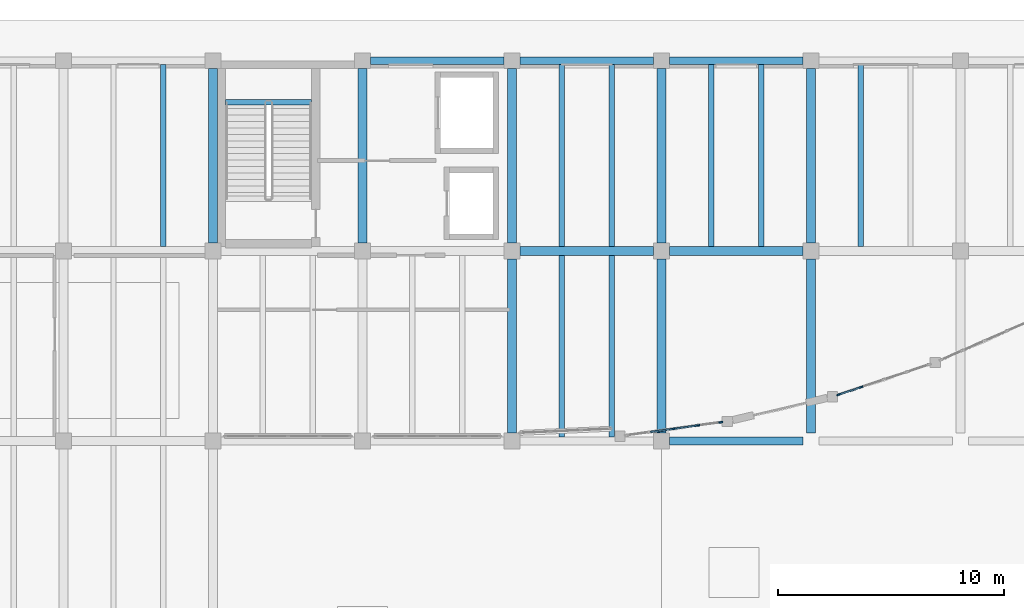
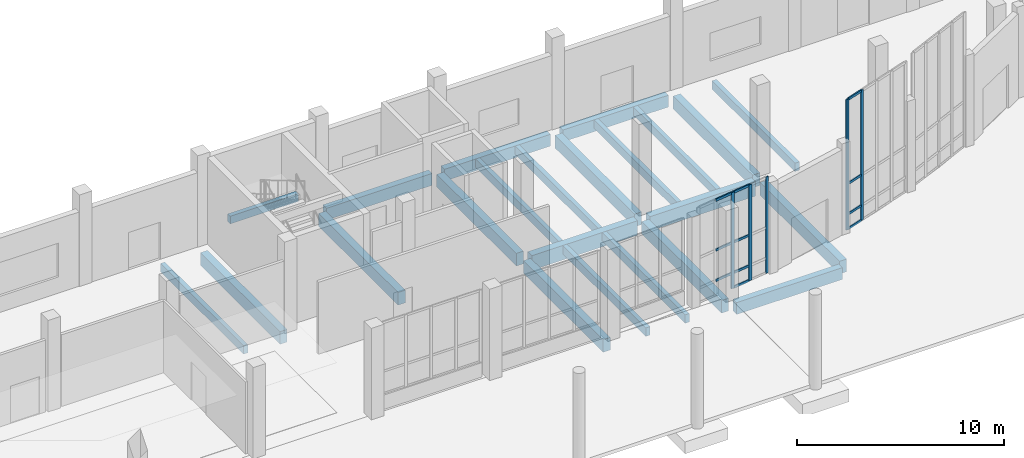
# One storey, part 15 of 64: 23 beams, 16 members, 2 elements without a shape of their own.
"""IFC4 building model written with IfcOpenShell, lengths in metres."""

from ifc_helpers import new_model, si_unit, direction, frame, origin, origin_2d, place, context, subcontext, project, spatial, rectangle, extrude, material, material_profile, profile_set, type_object, element, aggregate, save


model = new_model("IFC4")

# Units and contexts
model_context = context("Model", 3, precision=1e-05, world=origin(), true_north=direction((0.0, 1.0)))
body_context = subcontext(model_context, "Body", "Model", "MODEL_VIEW")
ifc_project = project(units=[si_unit("LENGTHUNIT", "METRE"), si_unit("AREAUNIT", "SQUARE_METRE"), si_unit("VOLUMEUNIT", "CUBIC_METRE"), si_unit("PLANEANGLEUNIT", "RADIAN"), si_unit("MASSUNIT", "GRAM", prefix="KILO")], contexts=[model_context])

# Site, building, storey
site_placement = place(None, origin())
site = spatial("IfcSite", under=ifc_project, at=site_placement, CompositionType="ELEMENT")
building_placement = place(site_placement, origin())
building = spatial("IfcBuilding", under=site, at=building_placement, Name="Qaldarim Faculty of Natural and Applied Sciences", CompositionType="ELEMENT")
storey_placement = place(building_placement, origin())
storey = spatial("IfcBuildingStorey", under=building, at=storey_placement, Name="L00", CompositionType="ELEMENT", Elevation=0.0)

# Beams
ifc_material_1 = material(Name="Concrete C40/50", Category="concrete")
ifc_material_profile_1 = material_profile(ifc_material_1, rectangle(XDim=0.239990234375, YDim=0.5, at=origin_2d()), Name="RC-J240x500")
ifc_profile_set_1 = profile_set([ifc_material_profile_1], Name="Concrete C40/50")
beam_type_1 = type_object("IfcBeamType", Name="HeavyJoist-RC240x500", PredefinedType="JOIST", material=ifc_profile_set_1)
beam_1_placement = place(storey_placement, frame((96.800048828125, 109.39990234375, -0.610107421875), z_axis=(0.0, 1.0, 0.0), x_axis=(-1.0, 0.0, 0.0)))
element("IfcBeam", 1, at=beam_1_placement, inside=storey, type_object=beam_type_1, Name="Laboratory joist B01 bay X15Y14-2", PredefinedType="JOIST", context=body_context, shape_type="SweptSolid", body=[
    extrude(rectangle(XDim=0.239990234375, YDim=0.5, at=origin_2d()), origin(), (0.0, 0.0, 1.0), 8.025146484375),
])
for number, where, z_axis, x_axis, name in (
    (2, (114.39990234375, 100.97509765625, -0.610107421875), (0.0, 1.0, 0.0), (-1.0, 0.0, 0.0), "Laboratory joist B01 bay X18Y13-1"),
    (3, (116.60009765625, 100.97509765625, -0.610107421875), (0.0, 1.0, 0.0), (-1.0, 0.0, 0.0), "Laboratory joist B01 bay X18Y13-2"),
):
    element("IfcBeam", number, at=place(storey_placement, frame(where, z_axis=z_axis, x_axis=x_axis)), inside=storey, type_object=beam_type_1, Name=name, PredefinedType="JOIST", context=body_context, shape_type="SweptSolid", body=[
        extrude(rectangle(XDim=0.239990234375, YDim=0.5, at=origin_2d()), origin(), (0.0, 0.0, 1.0), 8.02490234375),
    ])
for number, where, z_axis, x_axis, name in (
    (4, (114.39990234375, 109.39990234375, -0.610107421875), (0.0, 1.0, 0.0), (-1.0, 0.0, 0.0), "Laboratory joist B01 bay X18Y14-1"),
    (5, (116.60009765625, 109.39990234375, -0.610107421875), (0.0, 1.0, 0.0), (-1.0, 0.0, 0.0), "Laboratory joist B01 bay X18Y14-2"),
    (6, (121.0, 109.39990234375, -0.610107421875), (0.0, 1.0, 0.0), (-1.0, 0.0, 0.0), "Laboratory joist B01 bay X19Y14-1"),
    (7, (123.199951171875, 109.39990234375, -0.610107421875), (0.0, 1.0, 0.0), (-1.0, 0.0, 0.0), "Laboratory joist B01 bay X19Y14-2"),
    (8, (127.60009765625, 109.39990234375, -0.610107421875), (0.0, 1.0, 0.0), (-1.0, 0.0, 0.0), "Laboratory joist B01 bay X20Y14-1"),
):
    element("IfcBeam", number, at=place(storey_placement, frame(where, z_axis=z_axis, x_axis=x_axis)), inside=storey, type_object=beam_type_1, Name=name, PredefinedType="JOIST", context=body_context, shape_type="SweptSolid", body=[
        extrude(rectangle(XDim=0.239990234375, YDim=0.5, at=origin_2d()), origin(), (0.0, 0.0, 1.0), 8.025146484375),
    ])
ifc_material_2 = material(Name="Concrete C50/60", Category="concrete")
ifc_material_profile_2 = material_profile(ifc_material_2, rectangle(XDim=0.39990234375, YDim=0.75, at=origin_2d()), Name="RC-B400x750")
ifc_profile_set_2 = profile_set([ifc_material_profile_2], Name="Concrete C50/60")
beam_type_2 = type_object("IfcBeamType", Name="LabGirder-RC400x750", PredefinedType="BEAM", material=ifc_profile_set_2)
for number, where, z_axis, x_axis, name in (
    (9, (99.0, 109.550048828125, -0.735107421875), (0.0, 1.0, 0.0), (-1.0, 0.0, 0.0), "Beam RC-B400x750 B01 X16/Y14-Y15"),
    (10, (105.60009765625, 109.550048828125, -0.735107421875), (0.0, 1.0, 0.0), (-1.0, 0.0, 0.0), "Beam RC-B400x750 B01 X17/Y14-Y15"),
):
    element("IfcBeam", number, at=place(storey_placement, frame(where, z_axis=z_axis, x_axis=x_axis)), inside=storey, type_object=beam_type_2, Name=name, PredefinedType="BEAM", context=body_context, shape_type="SweptSolid", body=[
        extrude(rectangle(XDim=0.39990234375, YDim=0.75, at=origin_2d()), origin(), (0.0, 0.0, 1.0), 7.699951171875),
    ])
beam_2_placement = place(storey_placement, frame((112.199951171875, 101.14990234375, -0.735107421875), z_axis=(0.0, 1.0, 0.0), x_axis=(-1.0, 0.0, 0.0)))
element("IfcBeam", 11, at=beam_2_placement, inside=storey, type_object=beam_type_2, Name="Beam RC-B400x750 B01 X18/Y13-Y14", PredefinedType="BEAM", context=body_context, shape_type="SweptSolid", body=[
    extrude(rectangle(XDim=0.39990234375, YDim=0.75, at=origin_2d()), origin(), (0.0, 0.0, 1.0), 7.7001953125),
])
beam_3_placement = place(storey_placement, frame((112.199951171875, 109.550048828125, -0.735107421875), z_axis=(0.0, 1.0, 0.0), x_axis=(-1.0, 0.0, 0.0)))
element("IfcBeam", 12, at=beam_3_placement, inside=storey, type_object=beam_type_2, Name="Beam RC-B400x750 B01 X18/Y14-Y15", PredefinedType="BEAM", context=body_context, shape_type="SweptSolid", body=[
    extrude(rectangle(XDim=0.39990234375, YDim=0.75, at=origin_2d()), origin(), (0.0, 0.0, 1.0), 7.699951171875),
])
beam_4_placement = place(storey_placement, frame((118.800048828125, 101.14990234375, -0.735107421875), z_axis=(0.0, 1.0, 0.0), x_axis=(-1.0, 0.0, 0.0)))
element("IfcBeam", 13, at=beam_4_placement, inside=storey, type_object=beam_type_2, Name="Beam RC-B400x750 B01 X19/Y13-Y14", PredefinedType="BEAM", context=body_context, shape_type="SweptSolid", body=[
    extrude(rectangle(XDim=0.39990234375, YDim=0.75, at=origin_2d()), origin(), (0.0, 0.0, 1.0), 7.7001953125),
])
beam_5_placement = place(storey_placement, frame((118.800048828125, 109.550048828125, -0.735107421875), z_axis=(0.0, 1.0, 0.0), x_axis=(-1.0, 0.0, 0.0)))
element("IfcBeam", 14, at=beam_5_placement, inside=storey, type_object=beam_type_2, Name="Beam RC-B400x750 B01 X19/Y14-Y15", PredefinedType="BEAM", context=body_context, shape_type="SweptSolid", body=[
    extrude(rectangle(XDim=0.39990234375, YDim=0.75, at=origin_2d()), origin(), (0.0, 0.0, 1.0), 7.699951171875),
])
beam_6_placement = place(storey_placement, frame((125.39990234375, 101.14990234375, -0.735107421875), z_axis=(0.0, 1.0, 0.0), x_axis=(-1.0, 0.0, 0.0)))
element("IfcBeam", 15, at=beam_6_placement, inside=storey, type_object=beam_type_2, Name="Beam RC-B400x750 B01 X20/Y13-Y14", PredefinedType="BEAM", context=body_context, shape_type="SweptSolid", body=[
    extrude(rectangle(XDim=0.39990234375, YDim=0.75, at=origin_2d()), origin(), (0.0, 0.0, 1.0), 7.7001953125),
])
beam_7_placement = place(storey_placement, frame((125.39990234375, 109.550048828125, -0.735107421875), z_axis=(0.0, 1.0, 0.0), x_axis=(-1.0, 0.0, 0.0)))
element("IfcBeam", 16, at=beam_7_placement, inside=storey, type_object=beam_type_2, Name="Beam RC-B400x750 B01 X20/Y14-Y15", PredefinedType="BEAM", context=body_context, shape_type="SweptSolid", body=[
    extrude(rectangle(XDim=0.39990234375, YDim=0.75, at=origin_2d()), origin(), (0.0, 0.0, 1.0), 7.699951171875),
])
ifc_material_profile_3 = material_profile(ifc_material_1, rectangle(XDim=0.25, YDim=0.449951171875, at=origin_2d()), Name="RC-LN250x450")
ifc_profile_set_3 = profile_set([ifc_material_profile_3], Name="Concrete C40/50")
beam_type_3 = type_object("IfcBeamType", Name="LandingSupportBeam-RC250x450", PredefinedType="BEAM", material=ifc_profile_set_3)
beam_8_placement = place(storey_placement, frame((99.550048828125, 115.77490234375, 2.264892578125), z_axis=(1.0, 0.0, 0.0), x_axis=(0.0, 1.0, 0.0)))
element("IfcBeam", 17, at=beam_8_placement, inside=storey, type_object=beam_type_3, Name="Stair landing support beam ST-B1 L00", PredefinedType="BEAM", context=body_context, shape_type="SweptSolid", body=[
    extrude(rectangle(XDim=0.25, YDim=0.449951171875, at=origin_2d()), origin(), (0.0, 0.0, 1.0), 3.800048828125),
])

# Curtain wall, members
ifc_material_3 = material(Name="Anodised aluminium AW-6063", Category="aluminium")
curtain_wall_type = type_object("IfcCurtainWallType", Name="CurtainWallSystem-M1200", PredefinedType="USERDEFINED", material=ifc_material_3)
curtain_wall_1_placement = place(storey_placement, origin())
curtain_wall_1 = element("IfcCurtainWall", 18, at=curtain_wall_1_placement, inside=storey, type_object=curtain_wall_type, Name="Curtain wall CW-PORT-ARCH-1", ObjectType="STICK CURTAIN WALL", PredefinedType="USERDEFINED")
ifc_material_profile_4 = material_profile(ifc_material_3, rectangle(XDim=0.070068359375, YDim=0.179931640625, at=origin_2d()), Name="ALU-M70x180")
ifc_profile_set_4 = profile_set([ifc_material_profile_4], Name="Anodised aluminium AW-6063")
member_type_1 = type_object("IfcMemberType", Name="Mullion-ALU70x180", PredefinedType="MULLION", material=ifc_profile_set_4)
member_1_placement = place(storey_placement, frame((119.340087890625, 101.347412109375, 0.0), z_axis=(0.0, 0.0, 1.0), x_axis=(-0.136995052965, 0.990571731609, 0.0)))
member_1 = element("IfcMember", 19, at=member_1_placement, type_object=member_type_1, Name="Mullion 3 of CW-PORT-ARCH-1", PredefinedType="MULLION", context=body_context, shape_type="SweptSolid", body=[
    extrude(rectangle(XDim=0.070068359375, YDim=0.179931640625, at=origin_2d()), origin(), (0.0, 0.0, 1.0), 5.675048828125),
])
member_2_placement = place(storey_placement, frame((120.3974609375, 101.493896484375, 0.0), z_axis=(0.0, 0.0, 1.0), x_axis=(-0.136995052965, 0.990571731609, 0.0)))
member_2 = element("IfcMember", 20, at=member_2_placement, type_object=member_type_1, Name="Mullion 4 of CW-PORT-ARCH-1", PredefinedType="MULLION", context=body_context, shape_type="SweptSolid", body=[
    extrude(rectangle(XDim=0.070068359375, YDim=0.179931640625, at=origin_2d()), origin(), (0.0, 0.0, 1.0), 5.675048828125),
])
member_3_placement = place(storey_placement, frame((121.42041015625, 101.63525390625, 0.0), z_axis=(0.0, 0.0, 1.0), x_axis=(-0.136995052965, 0.990571731609, 0.0)))
member_3 = element("IfcMember", 21, at=member_3_placement, type_object=member_type_1, Name="Mullion 5 of CW-PORT-ARCH-1", PredefinedType="MULLION", context=body_context, shape_type="SweptSolid", body=[
    extrude(rectangle(XDim=0.070068359375, YDim=0.179931640625, at=origin_2d()), origin(), (0.0, 0.0, 1.0), 5.675048828125),
])

curtain_wall_2_placement = place(storey_placement, origin())
curtain_wall_2 = element("IfcCurtainWall", 22, at=curtain_wall_2_placement, inside=storey, type_object=curtain_wall_type, Name="Curtain wall CW-PORT-ARCH-3", ObjectType="STICK CURTAIN WALL", PredefinedType="USERDEFINED")
member_4_placement = place(storey_placement, frame((126.628173828125, 102.85595703125, 0.0), z_axis=(0.0, 0.0, 1.0), x_axis=(-0.315533107517, 0.948914568368, 0.0)))
member_4 = element("IfcMember", 23, at=member_4_placement, type_object=member_type_1, Name="Mullion 1 of CW-PORT-ARCH-3", PredefinedType="MULLION", context=body_context, shape_type="SweptSolid", body=[
    extrude(rectangle(XDim=0.070068359375, YDim=0.179931640625, at=origin_2d()), origin(), (0.0, 0.0, 1.0), 7.699951171875),
])
member_5_placement = place(storey_placement, frame((127.610107421875, 103.1826171875, 0.0), z_axis=(0.0, 0.0, 1.0), x_axis=(-0.315533107517, 0.948914568368, 0.0)))
member_5 = element("IfcMember", 24, at=member_5_placement, type_object=member_type_1, Name="Mullion 2 of CW-PORT-ARCH-3", PredefinedType="MULLION", context=body_context, shape_type="SweptSolid", body=[
    extrude(rectangle(XDim=0.070068359375, YDim=0.179931640625, at=origin_2d()), origin(), (0.0, 0.0, 1.0), 7.699951171875),
])

# Beams
ifc_material_profile_5 = material_profile(ifc_material_2, rectangle(XDim=0.39990234375, YDim=0.85009765625, at=origin_2d()), Name="RC-B400x850")
ifc_profile_set_5 = profile_set([ifc_material_profile_5], Name="Concrete C50/60")
beam_type_4 = type_object("IfcBeamType", Name="PodiumGirder-RC400x850", PredefinedType="BEAM", material=ifc_profile_set_5)
beam_9_placement = place(storey_placement, frame((112.550048828125, 109.199951171875, -0.784912109375), z_axis=(1.0, 0.0, 0.0), x_axis=(0.0, 1.0, 0.0)))
element("IfcBeam", 25, at=beam_9_placement, inside=storey, type_object=beam_type_4, Name="Beam RC-B400x850 B01 X18-X19/Y14", PredefinedType="BEAM", context=body_context, shape_type="SweptSolid", body=[
    extrude(rectangle(XDim=0.39990234375, YDim=0.85009765625, at=origin_2d()), origin(), (0.0, 0.0, 1.0), 5.89990234375),
])
beam_10_placement = place(storey_placement, frame((119.14990234375, 109.199951171875, -0.784912109375), z_axis=(1.0, 0.0, 0.0), x_axis=(0.0, 1.0, 0.0)))
element("IfcBeam", 26, at=beam_10_placement, inside=storey, type_object=beam_type_4, Name="Beam RC-B400x850 B01 X19-X20/Y14", PredefinedType="BEAM", context=body_context, shape_type="SweptSolid", body=[
    extrude(rectangle(XDim=0.39990234375, YDim=0.85009765625, at=origin_2d()), origin(), (0.0, 0.0, 1.0), 5.900146484375),
])
ifc_material_profile_6 = material_profile(ifc_material_1, rectangle(XDim=0.35009765625, YDim=0.699951171875, at=origin_2d()), Name="RC-B350x700")
ifc_profile_set_6 = profile_set([ifc_material_profile_6], Name="Concrete C40/50")
beam_type_5 = type_object("IfcBeamType", Name="PrimaryGirder-RC350x700", PredefinedType="BEAM", material=ifc_profile_set_6)
for number, where, z_axis, x_axis, name in (
    (27, (119.14990234375, 100.800048828125, -0.7099609375), (1.0, 0.0, 0.0), (0.0, 1.0, 0.0), "Beam RC-B350x700 B01 X19-X20/Y13"),
    (28, (105.949951171875, 117.60009765625, -0.7099609375), (1.0, 0.0, 0.0), (0.0, 1.0, 0.0), "Beam RC-B350x700 B01 X17-X18/Y15"),
):
    element("IfcBeam", number, at=place(storey_placement, frame(where, z_axis=z_axis, x_axis=x_axis)), inside=storey, type_object=beam_type_5, Name=name, PredefinedType="BEAM", context=body_context, shape_type="SweptSolid", body=[
        extrude(rectangle(XDim=0.35009765625, YDim=0.699951171875, at=origin_2d()), origin(), (0.0, 0.0, 1.0), 5.900146484375),
    ])
beam_11_placement = place(storey_placement, frame((112.550048828125, 117.60009765625, -0.7099609375), z_axis=(1.0, 0.0, 0.0), x_axis=(0.0, 1.0, 0.0)))
element("IfcBeam", 29, at=beam_11_placement, inside=storey, type_object=beam_type_5, Name="Beam RC-B350x700 B01 X18-X19/Y15", PredefinedType="BEAM", context=body_context, shape_type="SweptSolid", body=[
    extrude(rectangle(XDim=0.35009765625, YDim=0.699951171875, at=origin_2d()), origin(), (0.0, 0.0, 1.0), 5.89990234375),
])
beam_12_placement = place(storey_placement, frame((119.14990234375, 117.60009765625, -0.7099609375), z_axis=(1.0, 0.0, 0.0), x_axis=(0.0, 1.0, 0.0)))
element("IfcBeam", 30, at=beam_12_placement, inside=storey, type_object=beam_type_5, Name="Beam RC-B350x700 B01 X19-X20/Y15", PredefinedType="BEAM", context=body_context, shape_type="SweptSolid", body=[
    extrude(rectangle(XDim=0.35009765625, YDim=0.699951171875, at=origin_2d()), origin(), (0.0, 0.0, 1.0), 5.900146484375),
])

# Member
ifc_material_profile_7 = material_profile(ifc_material_3, rectangle(XDim=0.070068359375, YDim=0.139892578125, at=origin_2d()), Name="ALU-T70x140")
ifc_profile_set_7 = profile_set([ifc_material_profile_7], Name="Anodised aluminium AW-6063")
member_type_2 = type_object("IfcMemberType", Name="Transom-ALU70x140", PredefinedType="USERDEFINED", material=ifc_profile_set_7)
member_6_placement = place(storey_placement, frame((118.317138671875, 101.2060546875, 0.89990234375), z_axis=(0.990566226427, 0.137034853458, 0.0), x_axis=(-0.137034853458, 0.990566226427, 0.0)))
member_6 = element("IfcMember", 31, at=member_6_placement, type_object=member_type_2, Name="Transom 2-2 of CW-PORT-ARCH-1", ObjectType="TRANSOM", PredefinedType="USERDEFINED", context=body_context, shape_type="SweptSolid", body=[
    extrude(rectangle(XDim=0.070068359375, YDim=0.139892578125, at=origin_2d()), origin(), (0.0, 0.0, 1.0), 0.997802734375),
])

member_7_placement = place(storey_placement, frame((118.317138671875, 101.2060546875, 2.699951171875), z_axis=(0.990566226427, 0.137034853458, 0.0), x_axis=(-0.137034853458, 0.990566226427, 0.0)))
member_7 = element("IfcMember", 32, at=member_7_placement, type_object=member_type_2, Name="Transom 2-3 of CW-PORT-ARCH-1", ObjectType="TRANSOM", PredefinedType="USERDEFINED", context=body_context, shape_type="SweptSolid", body=[
    extrude(rectangle(XDim=0.070068359375, YDim=0.139892578125, at=origin_2d()), origin(), (0.0, 0.0, 1.0), 0.997802734375),
])

member_8_placement = place(storey_placement, frame((118.317138671875, 101.2060546875, 5.639892578125), z_axis=(0.990566226427, 0.137034853458, 0.0), x_axis=(-0.137034853458, 0.990566226427, 0.0)))
member_8 = element("IfcMember", 33, at=member_8_placement, type_object=member_type_2, Name="Transom 2-4 of CW-PORT-ARCH-1", ObjectType="TRANSOM", PredefinedType="USERDEFINED", context=body_context, shape_type="SweptSolid", body=[
    extrude(rectangle(XDim=0.070068359375, YDim=0.139892578125, at=origin_2d()), origin(), (0.0, 0.0, 1.0), 0.997802734375),
])

member_9_placement = place(storey_placement, frame((119.374755859375, 101.352294921875, 0.034912109375), z_axis=(0.990561629548, 0.137068078218, 0.0), x_axis=(-0.137068078218, 0.990561629548, 0.0)))
member_9 = element("IfcMember", 34, at=member_9_placement, type_object=member_type_2, Name="Transom 3-1 of CW-PORT-ARCH-1", ObjectType="TRANSOM", PredefinedType="USERDEFINED", context=body_context, shape_type="SweptSolid", body=[
    extrude(rectangle(XDim=0.070068359375, YDim=0.139892578125, at=origin_2d()), origin(), (0.0, 0.0, 1.0), 0.99755859375),
])

member_10_placement = place(storey_placement, frame((119.374755859375, 101.352294921875, 0.89990234375), z_axis=(0.990561629548, 0.137068078218, 0.0), x_axis=(-0.137068078218, 0.990561629548, 0.0)))
member_10 = element("IfcMember", 35, at=member_10_placement, type_object=member_type_2, Name="Transom 3-2 of CW-PORT-ARCH-1", ObjectType="TRANSOM", PredefinedType="USERDEFINED", context=body_context, shape_type="SweptSolid", body=[
    extrude(rectangle(XDim=0.070068359375, YDim=0.139892578125, at=origin_2d()), origin(), (0.0, 0.0, 1.0), 0.99755859375),
])

member_11_placement = place(storey_placement, frame((119.374755859375, 101.352294921875, 2.699951171875), z_axis=(0.990561629548, 0.137068078218, 0.0), x_axis=(-0.137068078218, 0.990561629548, 0.0)))
member_11 = element("IfcMember", 36, at=member_11_placement, type_object=member_type_2, Name="Transom 3-3 of CW-PORT-ARCH-1", ObjectType="TRANSOM", PredefinedType="USERDEFINED", context=body_context, shape_type="SweptSolid", body=[
    extrude(rectangle(XDim=0.070068359375, YDim=0.139892578125, at=origin_2d()), origin(), (0.0, 0.0, 1.0), 0.99755859375),
])

member_12_placement = place(storey_placement, frame((119.374755859375, 101.352294921875, 5.639892578125), z_axis=(0.990561629548, 0.137068078218, 0.0), x_axis=(-0.137068078218, 0.990561629548, 0.0)))
member_12 = element("IfcMember", 37, at=member_12_placement, type_object=member_type_2, Name="Transom 3-4 of CW-PORT-ARCH-1", ObjectType="TRANSOM", PredefinedType="USERDEFINED", context=body_context, shape_type="SweptSolid", body=[
    extrude(rectangle(XDim=0.070068359375, YDim=0.139892578125, at=origin_2d()), origin(), (0.0, 0.0, 1.0), 0.99755859375),
])

aggregate(curtain_wall_1, [member_1, member_2, member_3, member_6, member_7, member_8, member_9, member_10, member_11, member_12])

member_13_placement = place(storey_placement, frame((126.661376953125, 102.8671875, 0.034912109375), z_axis=(0.948986536309, 0.315316593131, 0.0), x_axis=(-0.315316593131, 0.948986536309, 0.0)))
member_13 = element("IfcMember", 38, at=member_13_placement, type_object=member_type_2, Name="Transom 1-1 of CW-PORT-ARCH-3", ObjectType="TRANSOM", PredefinedType="USERDEFINED", context=body_context, shape_type="SweptSolid", body=[
    extrude(rectangle(XDim=0.070068359375, YDim=0.139892578125, at=origin_2d()), origin(), (0.0, 0.0, 1.0), 0.96484375),
])

member_14_placement = place(storey_placement, frame((126.661376953125, 102.8671875, 0.89990234375), z_axis=(0.948986536309, 0.315316593131, 0.0), x_axis=(-0.315316593131, 0.948986536309, 0.0)))
member_14 = element("IfcMember", 39, at=member_14_placement, type_object=member_type_2, Name="Transom 1-2 of CW-PORT-ARCH-3", ObjectType="TRANSOM", PredefinedType="USERDEFINED", context=body_context, shape_type="SweptSolid", body=[
    extrude(rectangle(XDim=0.070068359375, YDim=0.139892578125, at=origin_2d()), origin(), (0.0, 0.0, 1.0), 0.96484375),
])

member_15_placement = place(storey_placement, frame((126.661376953125, 102.8671875, 2.699951171875), z_axis=(0.948986536309, 0.315316593131, 0.0), x_axis=(-0.315316593131, 0.948986536309, 0.0)))
member_15 = element("IfcMember", 40, at=member_15_placement, type_object=member_type_2, Name="Transom 1-3 of CW-PORT-ARCH-3", ObjectType="TRANSOM", PredefinedType="USERDEFINED", context=body_context, shape_type="SweptSolid", body=[
    extrude(rectangle(XDim=0.070068359375, YDim=0.139892578125, at=origin_2d()), origin(), (0.0, 0.0, 1.0), 0.96484375),
])

member_16_placement = place(storey_placement, frame((126.661376953125, 102.8671875, 7.6650390625), z_axis=(0.948986536309, 0.315316593131, 0.0), x_axis=(-0.315316593131, 0.948986536309, 0.0)))
member_16 = element("IfcMember", 41, at=member_16_placement, type_object=member_type_2, Name="Transom 1-4 of CW-PORT-ARCH-3", ObjectType="TRANSOM", PredefinedType="USERDEFINED", context=body_context, shape_type="SweptSolid", body=[
    extrude(rectangle(XDim=0.070068359375, YDim=0.139892578125, at=origin_2d()), origin(), (0.0, 0.0, 1.0), 0.96484375),
])

aggregate(curtain_wall_2, [member_4, member_5, member_13, member_14, member_15, member_16])

save(model, "model.ifc")
